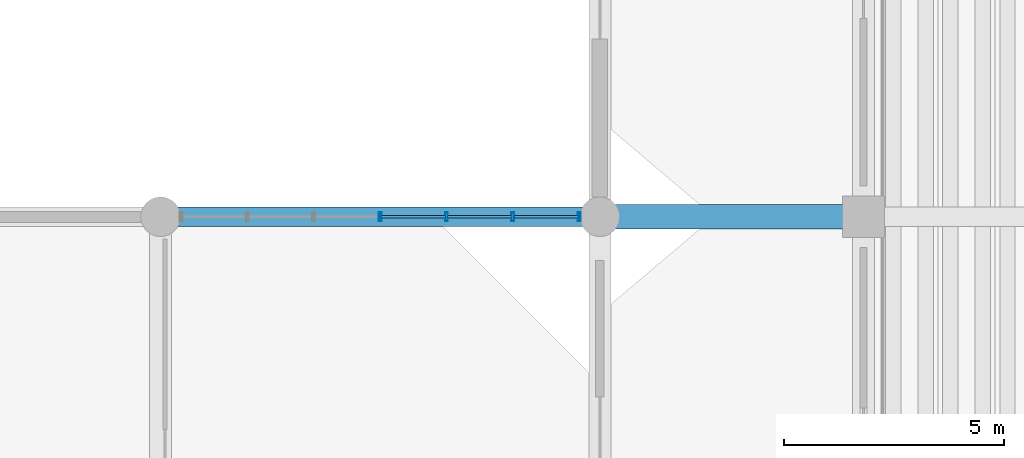
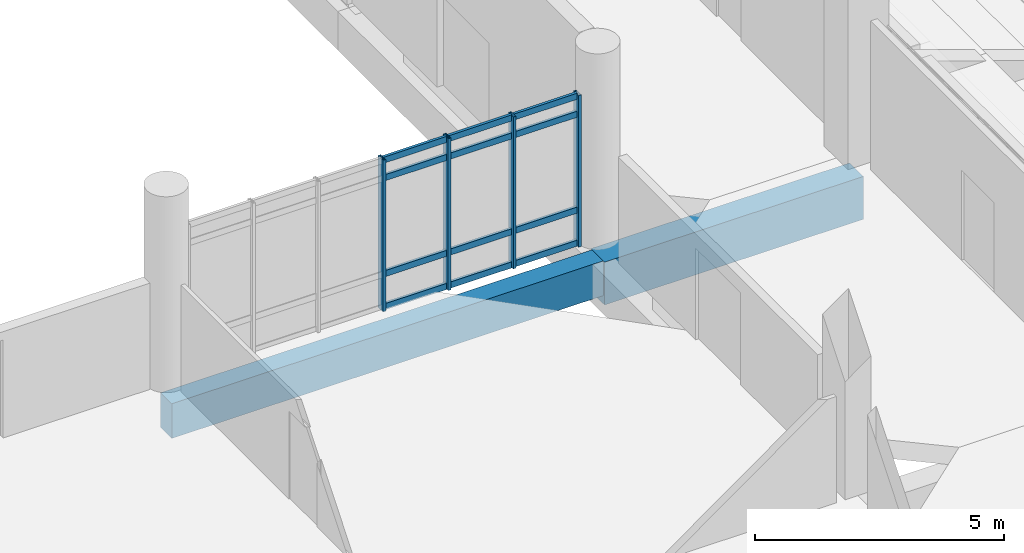
# One storey, part 31 of 87: 16 members, 2 beams, 1 element without a shape of its own.
"""IFC4 building model written with IfcOpenShell, lengths in metres."""

from ifc_helpers import new_model, si_unit, direction, frame, origin, origin_2d, place, context, subcontext, project, spatial, rectangle, hollow_rectangle, extrude, material, layer, layer_set, material_profile, profile_set, type_object, element, aggregate, save


model = new_model("IFC4")

# Units and contexts
model_context = context("Model", 3, precision=1e-05, world=origin(), true_north=direction((0.0, 1.0)))
body_context = subcontext(model_context, "Body", "Model", "MODEL_VIEW")
ifc_project = project(units=[si_unit("LENGTHUNIT", "METRE"), si_unit("AREAUNIT", "SQUARE_METRE"), si_unit("VOLUMEUNIT", "CUBIC_METRE"), si_unit("PLANEANGLEUNIT", "RADIAN"), si_unit("MASSUNIT", "GRAM", prefix="KILO")], contexts=[model_context])

# Site, building, storey
site_placement = place(None, origin())
site = spatial("IfcSite", under=ifc_project, at=site_placement, CompositionType="ELEMENT")
building_placement = place(site_placement, origin())
building = spatial("IfcBuilding", under=site, at=building_placement, Name="Mersad Railyard Sports Hall", CompositionType="ELEMENT")
storey_placement = place(building_placement, origin())
storey = spatial("IfcBuildingStorey", under=building, at=storey_placement, Name="L00", CompositionType="ELEMENT", Elevation=0.0)

# Curtain wall, members
ifc_material_1 = material(Name="Aluminium 6063-T6", Category="aluminium")
ifc_layer = layer(ifc_material_1, 0.199951171875)
ifc_layer_set = layer_set([ifc_layer], Name="Aluminium 6063-T6")
curtain_wall_type = type_object("IfcCurtainWallType", Name="ARC-CW-CW07", PredefinedType="USERDEFINED", material=ifc_layer_set)
curtain_wall_placement = place(storey_placement, origin())
curtain_wall = element("IfcCurtainWall", 1, at=curtain_wall_placement, inside=storey, type_object=curtain_wall_type, Name="Curtain wall CW07-0035", ObjectType="CURTAIN WALL", PredefinedType="USERDEFINED")
ifc_material_profile_1 = material_profile(ifc_material_1, hollow_rectangle(XDim=0.06494140625, YDim=0.199951171875, WallThickness=0.0048828125, at=origin_2d()), Name="AL MULLION 65x200x5")
ifc_profile_set_1 = profile_set([ifc_material_profile_1], Name="Aluminium 6063-T6")
member_type_1 = type_object("IfcMemberType", Name="ARC-CW-MUL02", PredefinedType="MULLION", material=ifc_profile_set_1)
member_1_placement = place(storey_placement, frame((126.0, 43.5, -0.02001953125), z_axis=(0.0, 0.0, 1.0), x_axis=(1.0, 0.0, 0.0)))
member_1 = element("IfcMember", 2, at=member_1_placement, type_object=member_type_1, Name="CW07 Mullion 4", PredefinedType="MULLION", context=body_context, shape_type="SweptSolid", body=[
    extrude(hollow_rectangle(XDim=0.06494140625, YDim=0.199951171875, WallThickness=0.0048828125, at=origin_2d()), origin(), (0.0, 0.0, 1.0), 3.719970703125),
])
member_2_placement = place(storey_placement, frame((127.510009765625, 43.5, -0.02001953125), z_axis=(0.0, 0.0, 1.0), x_axis=(1.0, 0.0, 0.0)))
member_2 = element("IfcMember", 3, at=member_2_placement, type_object=member_type_1, Name="CW07 Mullion 5", PredefinedType="MULLION", context=body_context, shape_type="SweptSolid", body=[
    extrude(hollow_rectangle(XDim=0.06494140625, YDim=0.199951171875, WallThickness=0.0048828125, at=origin_2d()), origin(), (0.0, 0.0, 1.0), 3.719970703125),
])
member_3_placement = place(storey_placement, frame((129.02001953125, 43.5, -0.02001953125), z_axis=(0.0, 0.0, 1.0), x_axis=(1.0, 0.0, 0.0)))
member_3 = element("IfcMember", 4, at=member_3_placement, type_object=member_type_1, Name="CW07 Mullion 6", PredefinedType="MULLION", context=body_context, shape_type="SweptSolid", body=[
    extrude(hollow_rectangle(XDim=0.06494140625, YDim=0.199951171875, WallThickness=0.0048828125, at=origin_2d()), origin(), (0.0, 0.0, 1.0), 3.719970703125),
])
member_4_placement = place(storey_placement, frame((130.530029296875, 43.5, -0.02001953125), z_axis=(0.0, 0.0, 1.0), x_axis=(1.0, 0.0, 0.0)))
member_4 = element("IfcMember", 5, at=member_4_placement, type_object=member_type_1, Name="CW07 Mullion 7", PredefinedType="MULLION", context=body_context, shape_type="SweptSolid", body=[
    extrude(hollow_rectangle(XDim=0.06494140625, YDim=0.199951171875, WallThickness=0.0048828125, at=origin_2d()), origin(), (0.0, 0.0, 1.0), 3.719970703125),
])
ifc_material_profile_2 = material_profile(ifc_material_1, hollow_rectangle(XDim=0.06494140625, YDim=0.14990234375, WallThickness=0.00439453125, at=origin_2d()), Name="AL TRANSOM 65x150x4.5")
ifc_profile_set_2 = profile_set([ifc_material_profile_2], Name="Aluminium 6063-T6")
member_type_2 = type_object("IfcMemberType", Name="ARC-CW-TRN02", PredefinedType="USERDEFINED", material=ifc_profile_set_2)
member_5_placement = place(storey_placement, frame((126.02001953125, 43.5, 0.0400390625), z_axis=(1.0, 0.0, 0.0), x_axis=(0.0, 1.0, 0.0)))
member_5 = element("IfcMember", 6, at=member_5_placement, type_object=member_type_2, Name="CW07 Transom 1-4", ObjectType="TRANSOM", PredefinedType="USERDEFINED", context=body_context, shape_type="SweptSolid", body=[
    extrude(hollow_rectangle(XDim=0.06494140625, YDim=0.14990234375, WallThickness=0.00439453125, at=origin_2d()), origin(), (0.0, 0.0, 1.0), 1.469970703125),
])
member_6_placement = place(storey_placement, frame((127.530029296875, 43.5, 0.0400390625), z_axis=(1.0, 0.0, 0.0), x_axis=(0.0, 1.0, 0.0)))
member_6 = element("IfcMember", 7, at=member_6_placement, type_object=member_type_2, Name="CW07 Transom 1-5", ObjectType="TRANSOM", PredefinedType="USERDEFINED", context=body_context, shape_type="SweptSolid", body=[
    extrude(hollow_rectangle(XDim=0.06494140625, YDim=0.14990234375, WallThickness=0.00439453125, at=origin_2d()), origin(), (0.0, 0.0, 1.0), 1.469970703125),
])
member_7_placement = place(storey_placement, frame((129.0400390625, 43.5, 0.0400390625), z_axis=(1.0, 0.0, 0.0), x_axis=(0.0, 1.0, 0.0)))
member_7 = element("IfcMember", 8, at=member_7_placement, type_object=member_type_2, Name="CW07 Transom 1-6", ObjectType="TRANSOM", PredefinedType="USERDEFINED", context=body_context, shape_type="SweptSolid", body=[
    extrude(hollow_rectangle(XDim=0.06494140625, YDim=0.14990234375, WallThickness=0.00439453125, at=origin_2d()), origin(), (0.0, 0.0, 1.0), 1.469970703125),
])
member_8_placement = place(storey_placement, frame((126.02001953125, 43.5, 0.85009765625), z_axis=(1.0, 0.0, 0.0), x_axis=(0.0, 1.0, 0.0)))
member_8 = element("IfcMember", 9, at=member_8_placement, type_object=member_type_2, Name="CW07 Transom 2-4", ObjectType="TRANSOM", PredefinedType="USERDEFINED", context=body_context, shape_type="SweptSolid", body=[
    extrude(hollow_rectangle(XDim=0.06494140625, YDim=0.14990234375, WallThickness=0.00439453125, at=origin_2d()), origin(), (0.0, 0.0, 1.0), 1.469970703125),
])
member_9_placement = place(storey_placement, frame((127.530029296875, 43.5, 0.85009765625), z_axis=(1.0, 0.0, 0.0), x_axis=(0.0, 1.0, 0.0)))
member_9 = element("IfcMember", 10, at=member_9_placement, type_object=member_type_2, Name="CW07 Transom 2-5", ObjectType="TRANSOM", PredefinedType="USERDEFINED", context=body_context, shape_type="SweptSolid", body=[
    extrude(hollow_rectangle(XDim=0.06494140625, YDim=0.14990234375, WallThickness=0.00439453125, at=origin_2d()), origin(), (0.0, 0.0, 1.0), 1.469970703125),
])
member_10_placement = place(storey_placement, frame((129.0400390625, 43.5, 0.85009765625), z_axis=(1.0, 0.0, 0.0), x_axis=(0.0, 1.0, 0.0)))
member_10 = element("IfcMember", 11, at=member_10_placement, type_object=member_type_2, Name="CW07 Transom 2-6", ObjectType="TRANSOM", PredefinedType="USERDEFINED", context=body_context, shape_type="SweptSolid", body=[
    extrude(hollow_rectangle(XDim=0.06494140625, YDim=0.14990234375, WallThickness=0.00439453125, at=origin_2d()), origin(), (0.0, 0.0, 1.0), 1.469970703125),
])
member_11_placement = place(storey_placement, frame((126.02001953125, 43.5, 3.199951171875), z_axis=(1.0, 0.0, 0.0), x_axis=(0.0, 1.0, 0.0)))
member_11 = element("IfcMember", 12, at=member_11_placement, type_object=member_type_2, Name="CW07 Transom 3-4", ObjectType="TRANSOM", PredefinedType="USERDEFINED", context=body_context, shape_type="SweptSolid", body=[
    extrude(hollow_rectangle(XDim=0.06494140625, YDim=0.14990234375, WallThickness=0.00439453125, at=origin_2d()), origin(), (0.0, 0.0, 1.0), 1.469970703125),
])
member_12_placement = place(storey_placement, frame((127.530029296875, 43.5, 3.199951171875), z_axis=(1.0, 0.0, 0.0), x_axis=(0.0, 1.0, 0.0)))
member_12 = element("IfcMember", 13, at=member_12_placement, type_object=member_type_2, Name="CW07 Transom 3-5", ObjectType="TRANSOM", PredefinedType="USERDEFINED", context=body_context, shape_type="SweptSolid", body=[
    extrude(hollow_rectangle(XDim=0.06494140625, YDim=0.14990234375, WallThickness=0.00439453125, at=origin_2d()), origin(), (0.0, 0.0, 1.0), 1.469970703125),
])
member_13_placement = place(storey_placement, frame((129.0400390625, 43.5, 3.199951171875), z_axis=(1.0, 0.0, 0.0), x_axis=(0.0, 1.0, 0.0)))
member_13 = element("IfcMember", 14, at=member_13_placement, type_object=member_type_2, Name="CW07 Transom 3-6", ObjectType="TRANSOM", PredefinedType="USERDEFINED", context=body_context, shape_type="SweptSolid", body=[
    extrude(hollow_rectangle(XDim=0.06494140625, YDim=0.14990234375, WallThickness=0.00439453125, at=origin_2d()), origin(), (0.0, 0.0, 1.0), 1.469970703125),
])
member_14_placement = place(storey_placement, frame((126.02001953125, 43.5, 3.639892578125), z_axis=(1.0, 0.0, 0.0), x_axis=(0.0, 1.0, 0.0)))
member_14 = element("IfcMember", 15, at=member_14_placement, type_object=member_type_2, Name="CW07 Transom 4-4", ObjectType="TRANSOM", PredefinedType="USERDEFINED", context=body_context, shape_type="SweptSolid", body=[
    extrude(hollow_rectangle(XDim=0.06494140625, YDim=0.14990234375, WallThickness=0.00439453125, at=origin_2d()), origin(), (0.0, 0.0, 1.0), 1.469970703125),
])
member_15_placement = place(storey_placement, frame((127.530029296875, 43.5, 3.639892578125), z_axis=(1.0, 0.0, 0.0), x_axis=(0.0, 1.0, 0.0)))
member_15 = element("IfcMember", 16, at=member_15_placement, type_object=member_type_2, Name="CW07 Transom 4-5", ObjectType="TRANSOM", PredefinedType="USERDEFINED", context=body_context, shape_type="SweptSolid", body=[
    extrude(hollow_rectangle(XDim=0.06494140625, YDim=0.14990234375, WallThickness=0.00439453125, at=origin_2d()), origin(), (0.0, 0.0, 1.0), 1.469970703125),
])
member_16_placement = place(storey_placement, frame((129.0400390625, 43.5, 3.639892578125), z_axis=(1.0, 0.0, 0.0), x_axis=(0.0, 1.0, 0.0)))
member_16 = element("IfcMember", 17, at=member_16_placement, type_object=member_type_2, Name="CW07 Transom 4-6", ObjectType="TRANSOM", PredefinedType="USERDEFINED", context=body_context, shape_type="SweptSolid", body=[
    extrude(hollow_rectangle(XDim=0.06494140625, YDim=0.14990234375, WallThickness=0.00439453125, at=origin_2d()), origin(), (0.0, 0.0, 1.0), 1.469970703125),
])
aggregate(curtain_wall, [member_1, member_2, member_3, member_4, member_5, member_6, member_7, member_8, member_9, member_10, member_11, member_12, member_13, member_14, member_15, member_16])

# Beams
ifc_material_2 = material(Name="Concrete C40/50", Category="concrete")
ifc_material_profile_3 = material_profile(ifc_material_2, rectangle(XDim=0.449951171875, YDim=0.85009765625, at=origin_2d()), Name="RC 450x850")
ifc_profile_set_3 = profile_set([ifc_material_profile_3], Name="Concrete C40/50")
beam_type_1 = type_object("IfcBeamType", Name="STR-BM-B02", PredefinedType="BEAM", material=ifc_profile_set_3)
beam_1_placement = place(storey_placement, frame((121.0, 43.5, -0.875), z_axis=(1.0, 0.0, 0.0), x_axis=(0.0, 1.0, 0.0)))
element("IfcBeam", 18, at=beam_1_placement, inside=storey, type_object=beam_type_1, Name="Beam B02-0064", PredefinedType="BEAM", context=body_context, shape_type="SweptSolid", body=[
    extrude(rectangle(XDim=0.449951171875, YDim=0.85009765625, at=origin_2d()), origin(), (0.0, 0.0, 1.0), 10.0),
])
ifc_material_3 = material(Name="Concrete C50/60", Category="concrete")
ifc_material_profile_4 = material_profile(ifc_material_3, rectangle(XDim=0.550048828125, YDim=1.050048828125, at=origin_2d()), Name="RC 550x1050")
ifc_profile_set_4 = profile_set([ifc_material_profile_4], Name="Concrete C50/60")
beam_type_2 = type_object("IfcBeamType", Name="STR-BM-B04", PredefinedType="BEAM", material=ifc_profile_set_4)
beam_2_placement = place(storey_placement, frame((131.0, 43.5, -0.97509765625), z_axis=(1.0, 0.0, 0.0), x_axis=(0.0, 1.0, 0.0)))
element("IfcBeam", 19, at=beam_2_placement, inside=storey, type_object=beam_type_2, Name="Beam B04-0093", PredefinedType="BEAM", context=body_context, shape_type="SweptSolid", body=[
    extrude(rectangle(XDim=0.550048828125, YDim=1.050048828125, at=origin_2d()), origin(), (0.0, 0.0, 1.0), 6.0),
])

save(model, "model.ifc")
